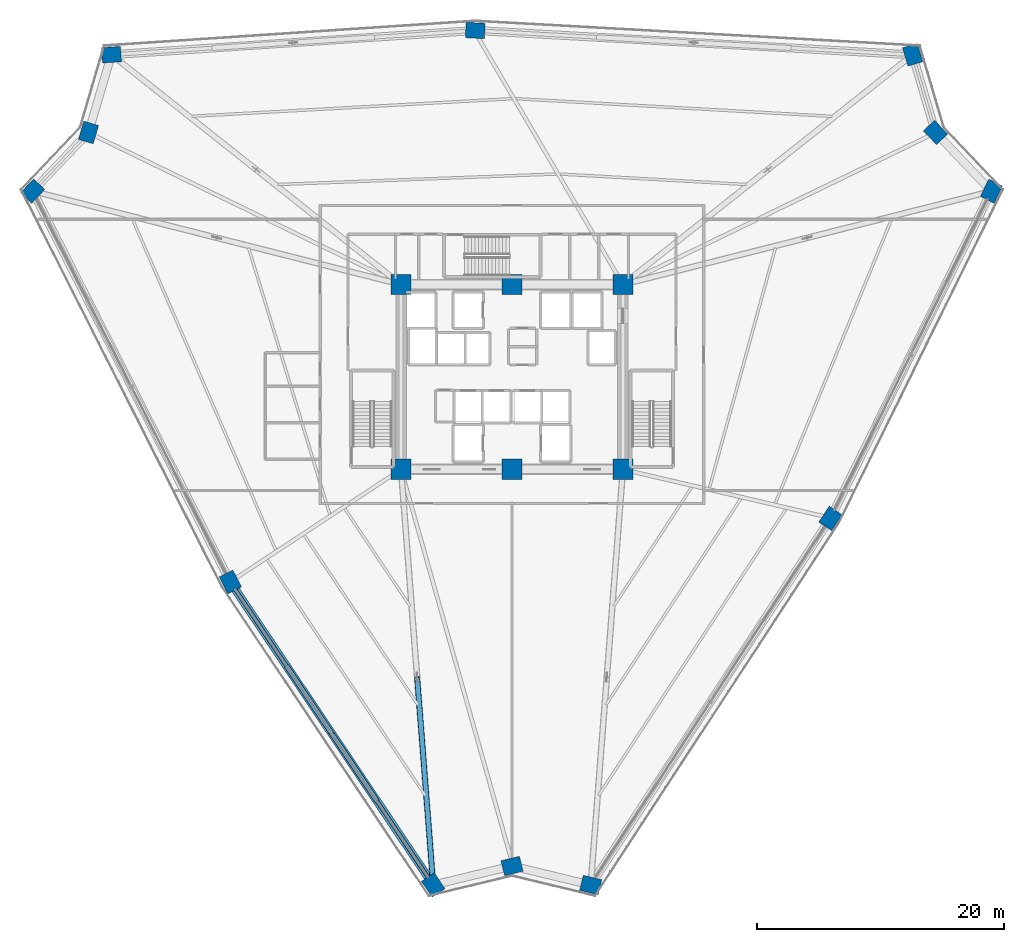
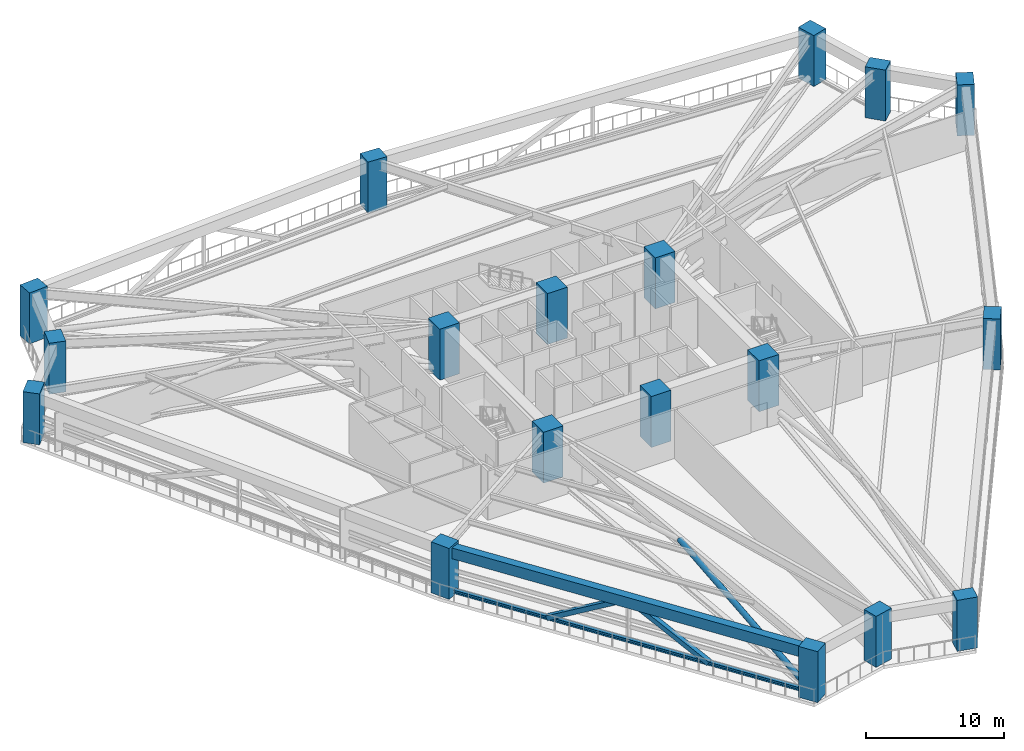
# One storey, part 1 of 25: 18 columns, 4 members, 1 beam.
"""IFC4 building model written with IfcOpenShell, lengths in metres."""

from ifc_helpers import new_model, si_unit, direction, frame, origin, origin_2d, place, context, subcontext, project, spatial, rectangle, hollow_rectangle, hollow_circle, i_section, extrude, source, transform, mapped, material, material_profile, profile_set, type_object, element, save


model = new_model("IFC4")

# Units and contexts
model_context = context("Model", 3, precision=1e-05, world=origin(), true_north=direction((0.0, 1.0)))
body_context = subcontext(model_context, "Body", "Model", "MODEL_VIEW")
ifc_project = project(units=[si_unit("LENGTHUNIT", "METRE"), si_unit("AREAUNIT", "SQUARE_METRE"), si_unit("VOLUMEUNIT", "CUBIC_METRE"), si_unit("PLANEANGLEUNIT", "RADIAN"), si_unit("MASSUNIT", "GRAM", prefix="KILO")], contexts=[model_context])

# Site, building, storey
site_placement = place(None, origin())
site = spatial("IfcSite", under=ifc_project, at=site_placement, CompositionType="ELEMENT")
building_placement = place(site_placement, origin())
building = spatial("IfcBuilding", under=site, at=building_placement, Name="Liaohun Quay Tower", CompositionType="ELEMENT")
storey_placement = place(building_placement, frame((0.0, 0.0, 47.25)))
storey = spatial("IfcBuildingStorey", under=building, at=storey_placement, Name="L12", CompositionType="ELEMENT", Elevation=47.25)

# Columns
ifc_material_1 = material(Name="Concrete C60", Category="concrete")
ifc_material_profile_1 = material_profile(ifc_material_1, rectangle(XDim=1.550048828125, YDim=1.25, at=origin_2d()), Name="RC1550x1250")
ifc_profile_set_1 = profile_set([ifc_material_profile_1], Name="Concrete C60")
column_type_1 = type_object("IfcColumnType", Name="COL-PIER-Z1", PredefinedType="COLUMN", material=ifc_profile_set_1)
shared_shape_1 = source(origin(), body_context, "Body", "SweptSolid", [
    extrude(rectangle(XDim=1.550048828125, YDim=1.25, at=origin_2d()), origin(), (0.0, 0.0, 1.0), 4.5),
])
for number, where, z_axis, x_axis, name in (
    (1, (53.60693359375, 12.780029296875, 0.0), (0.0, 0.0, 1.0), (-0.556440641177, 0.830887364717, 0.0), "L12 Perimeter Pier PC01"),
    (2, (37.14404296875, 37.364990234375, 0.0), (0.0, 0.0, 1.0), (-0.451189084442, 0.892428378124, 0.0), "L12 Perimeter Pier PC02"),
    (3, (21.111083984375, 69.077880859375, 0.0), (0.0, 0.0, 1.0), (0.68936671806, 0.724412539946, 0.0), "L12 Perimeter Pier PC03"),
    (4, (25.639892578125, 73.837890625, 0.0), (0.0, 0.0, 1.0), (0.282676303383, 0.959215360337, 0.0), "L12 Perimeter Pier PC04"),
    (5, (27.5, 80.14599609375, 0.0), (0.0, 0.0, 1.0), (0.997789886117, 0.066448048599, 0.0), "L12 Perimeter Pier PC05"),
    (6, (57.02197265625, 82.111083984375, 0.0), (0.0, 0.0, 1.0), (-0.998460188734, 0.055472980025, 0.0), "L12 Perimeter Pier PC06"),
    (7, (92.501953125, 80.139892578125, 0.0), (0.0, 0.0, 1.0), (-0.282676303383, 0.959215360337, 0.0), "L12 Perimeter Pier PC07"),
    (8, (94.360107421875, 73.837890625, 0.0), (0.0, 0.0, 1.0), (-0.68936671806, 0.724412539946, 0.0), "L12 Perimeter Pier PC08"),
    (9, (98.89404296875, 69.072998046875, 0.0), (0.0, 0.0, 1.0), (0.44134924494, 0.897335413316, 0.0), "L12 Perimeter Pier PC09"),
    (10, (85.833984375, 42.52392578125, 0.0), (0.0, 0.0, 1.0), (0.547271104292, 0.836955398099, 0.0), "L12 Perimeter Pier PC10"),
    (11, (66.386962890625, 12.781982421875, 0.0), (0.0, 0.0, 1.0), (-0.972043021443, 0.234802820391, 0.0), "L12 Perimeter Pier PC11"),
    (12, (60.0, 14.323974609375, 0.0), (0.0, 0.0, 1.0), (0.972043021443, 0.234802820391, 0.0), "L12 Perimeter Pier PC12"),
):
    element("IfcColumn", number, at=place(storey_placement, frame(where, z_axis=z_axis, x_axis=x_axis)), inside=storey, type_object=column_type_1, Name=name, PredefinedType="COLUMN", context=body_context, shape_type="MappedRepresentation", body=[
        mapped(shared_shape_1, transform((0.0, 0.0, 0.0), x_axis=(1.0, 0.0, 0.0), y_axis=(0.0, 1.0, 0.0), z_axis=(0.0, 0.0, 1.0), scale=1.0)),
    ])
ifc_material_profile_2 = material_profile(ifc_material_1, rectangle(XDim=1.64990234375, YDim=1.64990234375, at=origin_2d()), Name="RC1650x1650")
ifc_profile_set_2 = profile_set([ifc_material_profile_2], Name="Concrete C60")
column_type_2 = type_object("IfcColumnType", Name="COL-CC-Z1", PredefinedType="COLUMN", material=ifc_profile_set_2)
shared_shape_2 = source(origin(), body_context, "Body", "SweptSolid", [
    extrude(rectangle(XDim=1.64990234375, YDim=1.64990234375, at=origin_2d()), origin(), (0.0, 0.0, 1.0), 4.5),
])
for number, where, z_axis, x_axis, name in (
    (13, (51.0, 46.5, 0.0), (0.0, 0.0, 1.0), (1.0, 0.0, 0.0), "L12 Core Column CC1"),
    (14, (60.0, 46.5, 0.0), (0.0, 0.0, 1.0), (1.0, 0.0, 0.0), "L12 Core Column CC2"),
    (15, (69.0, 46.5, 0.0), (0.0, 0.0, 1.0), (1.0, 0.0, 0.0), "L12 Core Column CC3"),
    (16, (69.0, 61.5, 0.0), (0.0, 0.0, 1.0), (1.0, 0.0, 0.0), "L12 Core Column CC4"),
    (17, (60.0, 61.5, 0.0), (0.0, 0.0, 1.0), (1.0, 0.0, 0.0), "L12 Core Column CC5"),
    (18, (51.0, 61.5, 0.0), (0.0, 0.0, 1.0), (1.0, 0.0, 0.0), "L12 Core Column CC6"),
):
    element("IfcColumn", number, at=place(storey_placement, frame(where, z_axis=z_axis, x_axis=x_axis)), inside=storey, type_object=column_type_2, Name=name, PredefinedType="COLUMN", context=body_context, shape_type="MappedRepresentation", body=[
        mapped(shared_shape_2, transform((0.0, 0.0, 0.0), x_axis=(1.0, 0.0, 0.0), y_axis=(0.0, 1.0, 0.0), z_axis=(0.0, 0.0, 1.0), scale=1.0)),
    ])

# Beam
ifc_material_2 = material(Name="Precast concrete C55", Category="concrete")
ifc_material_profile_3 = material_profile(ifc_material_2, rectangle(XDim=0.64990234375, YDim=0.949951171875, at=origin_2d()), Name="RC650x950")
ifc_profile_set_3 = profile_set([ifc_material_profile_3], Name="Precast concrete C55")
beam_type = type_object("IfcBeamType", Name="BM-SPD-Z1", PredefinedType="SPANDREL", material=ifc_profile_set_3)
shared_shape_3 = source(origin(), body_context, "Body", "SweptSolid", [
    extrude(rectangle(XDim=0.64990234375, YDim=0.949951171875, at=origin_2d()), origin(), (0.0, 0.0, 1.0), 29.587890625),
])
beam_placement = place(storey_placement, frame((53.60693359375, 12.780029296875, 3.844970703125), z_axis=(-0.556405155751, 0.830911128012, 0.0), x_axis=(-0.830911128012, -0.556405155751, 0.0)))
element("IfcBeam", 19, at=beam_placement, inside=storey, type_object=beam_type, Name="L12 Precast Spandrel Beam PC01-PC02", PredefinedType="SPANDREL", context=body_context, shape_type="MappedRepresentation", body=[
    mapped(shared_shape_3, transform((0.0, 0.0, 0.0), x_axis=(1.0, 0.0, 0.0), y_axis=(0.0, 1.0, 0.0), z_axis=(0.0, 0.0, 1.0), scale=1.0)),
])

# Members
ifc_material_3 = material(Name="Steel Q420D", Category="steel")
ifc_material_profile_4 = material_profile(ifc_material_3, hollow_circle(Radius=0.228515625, WallThickness=0.02001953125, at=origin_2d()), Name="CHS457x20")
ifc_profile_set_4 = profile_set([ifc_material_profile_4], Name="Steel Q420D")
member_type_1 = type_object("IfcMemberType", Name="MEM-OUT-DG1", PredefinedType="BRACE", material=ifc_profile_set_4)
shared_shape_4 = source(origin(), body_context, "Body", "SweptSolid", [
    extrude(hollow_circle(Radius=0.228515625, WallThickness=0.02001953125, at=origin_2d()), origin(), (0.0, 0.0, 1.0), 17.303955078125),
])
member_1_placement = place(storey_placement, frame((52.302978515625, 29.639892578125, 4.02001953125), z_axis=(0.075356306714, -0.974341102613, -0.21208687559), x_axis=(0.997022552192, 0.077110507852, 0.0)))
element("IfcMember", 20, at=member_1_placement, inside=storey, type_object=member_type_1, Name="L12 Outrigger Diagonal OD-01B", PredefinedType="BRACE", context=body_context, shape_type="MappedRepresentation", body=[
    mapped(shared_shape_4, transform((0.0, 0.0, 0.0), x_axis=(1.0, 0.0, 0.0), y_axis=(0.0, 1.0, 0.0), z_axis=(0.0, 0.0, 1.0), scale=1.0)),
])
ifc_material_4 = material(Name="Steel Q355D", Category="steel")
ifc_material_profile_5 = material_profile(ifc_material_4, i_section(OverallWidth=0.300048828125, OverallDepth=0.300048828125, WebThickness=0.010009765625, FlangeThickness=0.014892578125, at=origin_2d()), Name="HW300x300x10x15")
ifc_profile_set_5 = profile_set([ifc_material_profile_5], Name="Steel Q355D")
member_type_2 = type_object("IfcMemberType", Name="MEM-BLT-CHD", PredefinedType="CHORD", material=ifc_profile_set_5)
shared_shape_5 = source(origin(), body_context, "Body", "SweptSolid", [
    extrude(i_section(OverallWidth=0.300048828125, OverallDepth=0.300048828125, WebThickness=0.010009765625, FlangeThickness=0.014892578125, at=origin_2d()), origin(), (0.0, 0.0, 1.0), 29.587890625),
])
member_2_placement = place(storey_placement, frame((53.60693359375, 12.780029296875, 0.35009765625), z_axis=(-0.556405155751, 0.830911128012, 0.0), x_axis=(-0.830911128012, -0.556405155751, 0.0)))
element("IfcMember", 21, at=member_2_placement, inside=storey, type_object=member_type_2, Name="L12 Belt Truss Bottom Chord BC-1-01", PredefinedType="CHORD", context=body_context, shape_type="MappedRepresentation", body=[
    mapped(shared_shape_5, transform((0.0, 0.0, 0.0), x_axis=(1.0, 0.0, 0.0), y_axis=(0.0, 1.0, 0.0), z_axis=(0.0, 0.0, 1.0), scale=1.0)),
])
ifc_material_profile_6 = material_profile(ifc_material_3, hollow_rectangle(XDim=0.39990234375, YDim=0.39990234375, WallThickness=0.02001953125, at=origin_2d()), Name="SHS400x400x20")
ifc_profile_set_6 = profile_set([ifc_material_profile_6], Name="Steel Q420D")
member_type_3 = type_object("IfcMemberType", Name="MEM-BLT-DG1", PredefinedType="BRACE", material=ifc_profile_set_6)
shared_shape_6 = source(origin(), body_context, "Body", "SweptSolid", [
    extrude(hollow_rectangle(XDim=0.39990234375, YDim=0.39990234375, WallThickness=0.02001953125, at=origin_2d()), origin(), (0.0, 0.0, 1.0), 7.472412109375),
])
member_3_placement = place(storey_placement, frame((48.9970703125, 19.6640625, 0.35009765625), z_axis=(-0.484593779573, 0.723852156583, 0.491128215651), x_axis=(-0.830975449423, -0.556309088957, 0.0)))
element("IfcMember", 22, at=member_3_placement, inside=storey, type_object=member_type_3, Name="L12 Belt Truss Diagonal BD-01A", PredefinedType="BRACE", context=body_context, shape_type="MappedRepresentation", body=[
    mapped(shared_shape_6, transform((0.0, 0.0, 0.0), x_axis=(1.0, 0.0, 0.0), y_axis=(0.0, 1.0, 0.0), z_axis=(0.0, 0.0, 1.0), scale=1.0)),
])
shared_shape_7 = source(origin(), body_context, "Body", "SweptSolid", [
    extrude(hollow_rectangle(XDim=0.39990234375, YDim=0.39990234375, WallThickness=0.02001953125, at=origin_2d()), origin(), (0.0, 0.0, 1.0), 7.47216796875),
])
member_4_placement = place(storey_placement, frame((45.3759765625, 25.072998046875, 4.02001953125), z_axis=(-0.484739617271, 0.723744086153, -0.491143564762), x_axis=(-0.830859640099, -0.556482037854, 0.0)))
element("IfcMember", 23, at=member_4_placement, inside=storey, type_object=member_type_3, Name="L12 Belt Truss Diagonal BD-01B", PredefinedType="BRACE", context=body_context, shape_type="MappedRepresentation", body=[
    mapped(shared_shape_7, transform((0.0, 0.0, 0.0), x_axis=(1.0, 0.0, 0.0), y_axis=(0.0, 1.0, 0.0), z_axis=(0.0, 0.0, 1.0), scale=1.0)),
])

save(model, "model.ifc")
